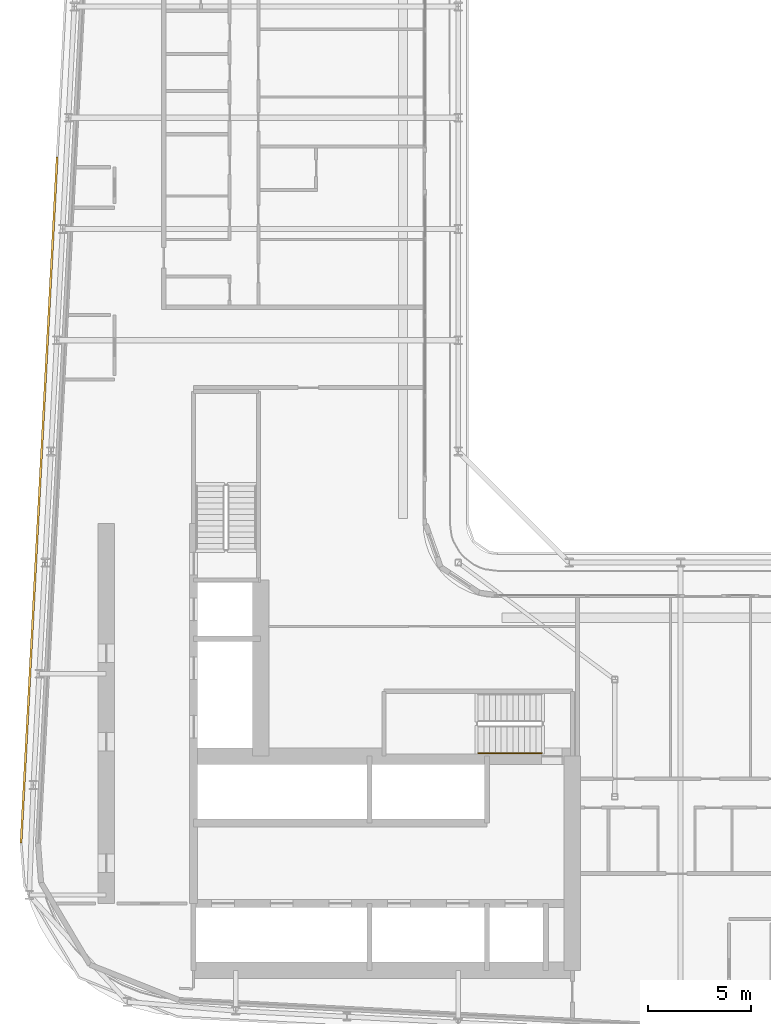
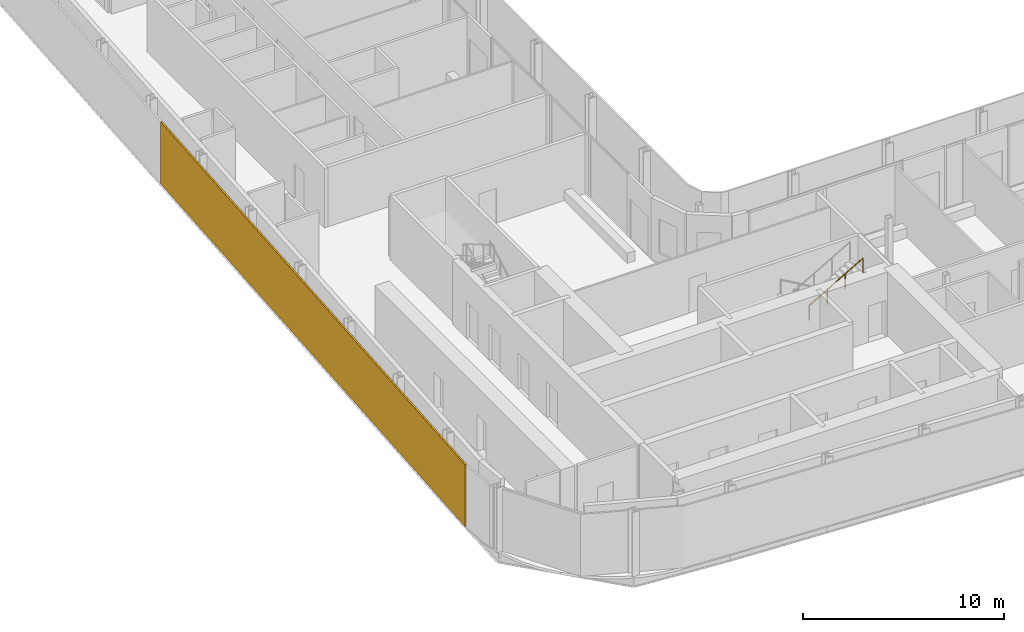
# One storey, part 24 of 30: 1 railing, 1 shading device.
"""IFC4 building model written with IfcOpenShell, lengths in metres."""

import ifcopenshell
import ifcopenshell.guid

model = None  # the IFC model being written
_history = None  # IfcOwnerHistory: only IFC2X3 demands one
_inside = {}  # id of a spatial element -> (the spatial element, [elements in it])
_under = {}  # id of a project, library or spatial element -> (it, [spatial elements below it])
_declared = {}  # id of a project -> (the project, [libraries it declares])
_typed = {}  # id of a type object -> (the type object, [elements of that type])
_made_of = {}  # id of a material, layer set ... -> (it, [elements and type objects made of it])


def new_model(schema):
    """Start an empty IFC model of exactly this schema.

    Asked for "IFC4X3", IfcOpenShell would pick the latest addendum, in which some entities
    have other attributes; the version numbers below select the first issue.
    IFC2X3 requires an IfcOwnerHistory on every rooted entity: one is made here for all.
    """
    global model, _history
    if schema == "IFC4X3":
        model = ifcopenshell.file(schema_version=(4, 3, 0, 0))
    else:
        model = ifcopenshell.file(schema=schema)
    _inside.clear()
    _under.clear()
    _declared.clear()
    _typed.clear()
    _made_of.clear()
    _history = None
    if model.schema == "IFC2X3":
        org = make("IfcOrganization", Name="unknown")
        user = make(
            "IfcPersonAndOrganization",
            ThePerson=make("IfcPerson", FamilyName="unknown"),
            TheOrganization=org,
        )
        app = make(
            "IfcApplication",
            ApplicationDeveloper=org,
            Version="unknown",
            ApplicationFullName="unknown",
            ApplicationIdentifier="unknown",
        )
        _history = make(
            "IfcOwnerHistory",
            OwningUser=user,
            OwningApplication=app,
            ChangeAction="ADDED",
            CreationDate=0,
        )
    return model


def make(cls, **values):
    """One entity of the class cls with the attributes given. An attribute that is None is left unset."""
    return model.create_entity(
        cls, **{name: value for name, value in values.items() if value is not None}
    )


def rooted(cls, **values):
    """An entity with a GlobalId (a new one), such as an element, a storey or a relation."""
    return make(cls, GlobalId=ifcopenshell.guid.new(), OwnerHistory=_history, **values)


def si_unit(unit_type, name, prefix=None):
    """IfcSIUnit, for example si_unit("LENGTHUNIT", "METRE", prefix="MILLI")."""
    return make("IfcSIUnit", UnitType=unit_type, Prefix=prefix, Name=name)


def assignment(units):
    """IfcUnitAssignment: the units of a project."""
    return None if units is None else make("IfcUnitAssignment", Units=units)


def point(xyz):
    """IfcCartesianPoint."""
    return None if xyz is None else make("IfcCartesianPoint", Coordinates=xyz)


def direction(xyz):
    """IfcDirection."""
    return None if xyz is None else make("IfcDirection", DirectionRatios=xyz)


def frame(location, z_axis=None, x_axis=None):
    """IfcAxis2Placement3D, a coordinate frame: its origin and axes. An axis left out is left unset."""
    return make(
        "IfcAxis2Placement3D",
        Location=point(location),
        Axis=direction(z_axis),
        RefDirection=direction(x_axis),
    )


def frame_2d(location, x_axis=None):
    """IfcAxis2Placement2D, a coordinate frame in the plane: its origin and x axis."""
    return make(
        "IfcAxis2Placement2D", Location=point(location), RefDirection=direction(x_axis)
    )


def origin():
    """The frame at (0, 0, 0) with its axes left unset."""
    return frame((0.0, 0.0, 0.0))


def origin_2d():
    """The frame at (0, 0) in the plane with its x axis left unset."""
    return frame_2d((0.0, 0.0))


def place(relative_to, where):
    """IfcLocalPlacement: puts the frame where relative to a parent placement (None: the world)."""
    return make(
        "IfcLocalPlacement", PlacementRelTo=relative_to, RelativePlacement=where
    )


def context(
    kind, dimensions, precision=None, world=None, true_north=None, identifier=None
):
    """IfcGeometricRepresentationContext, for example the 3D "Model" context."""
    return make(
        "IfcGeometricRepresentationContext",
        ContextIdentifier=identifier,
        ContextType=kind,
        CoordinateSpaceDimension=dimensions,
        Precision=precision,
        WorldCoordinateSystem=world,
        TrueNorth=true_north,
    )


def subcontext(parent, identifier, kind, view, scale=None):
    """IfcGeometricRepresentationSubContext, for example "Body" below "Model"."""
    return make(
        "IfcGeometricRepresentationSubContext",
        ContextIdentifier=identifier,
        ContextType=kind,
        ParentContext=parent,
        TargetScale=scale,
        TargetView=view,
    )


def project(units=None, contexts=None):
    """IfcProject with its units and contexts."""
    return rooted(
        "IfcProject",
        Name="project",
        RepresentationContexts=contexts,
        UnitsInContext=assignment(units),
    )


def spatial(cls, under=None, at=None, **own):
    """A site, building, storey or space (cls), placed at a placement, below another one or the project."""
    s = rooted(cls, ObjectPlacement=at, **own)
    if under is not None:
        _under.setdefault(under.id(), (under, []))[1].append(s)
    return s


def profile(cls, at=None, kind="AREA", **sizes):
    """A parametric profile (cls). Its sizes go by their IFC names, for example OverallWidth=200.0."""
    return make(cls, ProfileType=kind, Position=at, **sizes)


def rectangle(**sizes):
    """IfcRectangleProfileDef."""
    return profile("IfcRectangleProfileDef", **sizes)


def circle(**sizes):
    """IfcCircleProfileDef."""
    return profile("IfcCircleProfileDef", **sizes)


def extrude(swept, where, along, depth):
    """IfcExtrudedAreaSolid: the profile swept, set in the frame where, extruded along a direction by depth."""
    return make(
        "IfcExtrudedAreaSolid",
        SweptArea=swept,
        Position=where,
        ExtrudedDirection=direction(along),
        Depth=depth,
    )


def shape(context_of_items, identifier, shape_type, items):
    """IfcShapeRepresentation: the items that make up one representation, for example the "Body"."""
    return make(
        "IfcShapeRepresentation",
        ContextOfItems=context_of_items,
        RepresentationIdentifier=identifier,
        RepresentationType=shape_type,
        Items=items,
    )


def material(Name=None, Category=None):
    """IfcMaterial."""
    return make("IfcMaterial", Name=Name, Category=Category)


def layer(
    of_material, thickness, ventilated=None, Name=None, Category=None, Priority=None
):
    """IfcMaterialLayer: one layer of a wall or slab, of a material (None: an air gap)."""
    return make(
        "IfcMaterialLayer",
        Material=of_material,
        LayerThickness=thickness,
        IsVentilated=ventilated,
        Name=Name,
        Category=Category,
        Priority=Priority,
    )


def layer_set(layers, Name=None):
    """IfcMaterialLayerSet."""
    return make("IfcMaterialLayerSet", MaterialLayers=layers, LayerSetName=Name)


def made_of(thing, what):
    """Note that an element or type object is made of a material, layer set ...; save() writes the relation."""
    if what is not None:
        _made_of.setdefault(what.id(), (what, []))[1].append(thing)
    return thing


def type_object(cls, material=None, **own):
    """A type object (cls), such as IfcWallType, which elements share."""
    return made_of(rooted(cls, **own), material)


def element(
    cls,
    number,
    at=None,
    inside=None,
    cuts=None,
    type_object=None,
    material=None,
    context=None,
    identifier="Body",
    shape_type=None,
    held_by="IfcProductDefinitionShape",
    body=None,
    shapes=None,
    **own,
):
    """One element of the class cls, such as IfcWall. Its Tag is "e" and its number.

    at: its placement. inside: the storey or other place that contains it. cuts: it is an
    opening in that element (IfcRelVoidsElement). A single representation is given by context,
    identifier, shape_type and body (its items); several are given by shapes. held_by: the class
    of the entity that holds the representations. save() writes the other relations.
    """
    e = rooted(cls, Tag="e%d" % number, ObjectPlacement=at, **own)
    if body is not None:
        shapes = [shape(context, identifier, shape_type, body)]
    if shapes is not None:
        e.Representation = make(held_by, Representations=shapes)
    if inside is not None:
        _inside.setdefault(inside.id(), (inside, []))[1].append(e)
    if cuts is not None:
        rooted(
            "IfcRelVoidsElement", RelatingBuildingElement=cuts, RelatedOpeningElement=e
        )
    if type_object is not None:
        _typed.setdefault(type_object.id(), (type_object, []))[1].append(e)
    return made_of(e, material)


def aggregate(whole, parts):
    """IfcRelAggregates: a whole, such as a stair, and the parts it consists of."""
    return rooted("IfcRelAggregates", RelatingObject=whole, RelatedObjects=parts)


def save(model, path):
    """Write the relations noted so far, then the file.

    IfcRelAggregates (storeys below a building ...), IfcRelContainedInSpatialStructure (elements
    in a storey), IfcRelDefinesByType, IfcRelAssociatesMaterial and IfcRelDeclares: one each for
    every whole, place, type object, material and project.
    """
    for whole, parts in _under.values():
        aggregate(whole, parts)
    for where, things in _inside.values():
        rooted(
            "IfcRelContainedInSpatialStructure",
            RelatedElements=things,
            RelatingStructure=where,
        )
    for kind, things in _typed.values():
        rooted("IfcRelDefinesByType", RelatedObjects=things, RelatingType=kind)
    for what, things in _made_of.values():
        rooted("IfcRelAssociatesMaterial", RelatedObjects=things, RelatingMaterial=what)
    for by, libraries in _declared.values():
        rooted("IfcRelDeclares", RelatingContext=by, RelatedDefinitions=libraries)
    model.write(path)


model = new_model("IFC4")

# Units and contexts
model_context = context("Model", 3, precision=1e-05, world=origin(), true_north=direction((0.0, 1.0)))
body_context = subcontext(model_context, "Body", "Model", "MODEL_VIEW")
ifc_project = project(units=[si_unit("LENGTHUNIT", "METRE"), si_unit("AREAUNIT", "SQUARE_METRE"), si_unit("VOLUMEUNIT", "CUBIC_METRE"), si_unit("PLANEANGLEUNIT", "RADIAN"), si_unit("MASSUNIT", "GRAM", prefix="KILO")], contexts=[model_context])

# Site, building, storey
site_placement = place(None, origin())
site = spatial("IfcSite", under=ifc_project, at=site_placement, CompositionType="ELEMENT")
building_placement = place(site_placement, origin())
building = spatial("IfcBuilding", under=site, at=building_placement, Name="Kheshtan School and Residences Tower", CompositionType="ELEMENT")
storey_placement = place(building_placement, frame((0.0, 0.0, 164.300048828125)))
storey = spatial("IfcBuildingStorey", under=building, at=storey_placement, Name="L38", CompositionType="ELEMENT", Elevation=164.300048828125)

# Shading device
ifc_material_1 = material(Name="Terracotta baguette, extruded ceramic", Category="masonry")
ifc_layer = layer(ifc_material_1, 0.10009765625)
ifc_layer_set = layer_set([ifc_layer], Name="Ledge screen, terracotta baguettes")
shading_device_type = type_object("IfcShadingDeviceType", Name="Ledge screen, terracotta baguettes", PredefinedType="USERDEFINED", material=ifc_layer_set)
shading_device_placement = place(storey_placement, frame((27.24609375, 48.638916015625, 0.0), z_axis=(0.0, 0.0, 1.0), x_axis=(0.052562536748, 0.998617634398, 0.0)))
element("IfcShadingDevice", 1, at=shading_device_placement, inside=storey, type_object=shading_device_type, Name="Screen L38 4", ObjectType="BAGUETTE", PredefinedType="USERDEFINED", context=body_context, shape_type="SweptSolid", body=[
    extrude(rectangle(XDim=33.341064453125, YDim=0.10009765625, at=origin_2d()), origin(), (0.0, 0.0, 1.0), 3.75),
])

# Railing
ifc_material_2 = material(Name="Stainless steel handrail", Category="steel")
railing_type = type_object("IfcRailingType", Name="Stair handrail 900", PredefinedType="HANDRAIL", material=ifc_material_2)
railing_placement = place(storey_placement, frame((48.570068359375, 36.35009765625, 2.112548828125)))
element("IfcRailing", 2, at=railing_placement, inside=storey, type_object=railing_type, Name="L38 ST1 stair handrail 2", PredefinedType="HANDRAIL", context=body_context, shape_type="SweptSolid", body=[
    extrude(circle(Radius=0.02392578125, at=origin_2d()), frame((0.0, 0.0, 0.8759765625), z_axis=(0.864903211148, 0.0, 0.501938676878), x_axis=(0.0, 1.0, 0.0)), (0.0, 0.0, 1.0), 3.560791015625),
    extrude(circle(Radius=0.02099609375, at=origin_2d()), origin(), (0.0, 0.0, 1.0), 0.851806640625),
    extrude(circle(Radius=0.02099609375, at=origin_2d()), frame((1.026611328125, 0.0, 0.595703125)), (0.0, 0.0, 1.0), 0.851806640625),
    extrude(circle(Radius=0.02099609375, at=origin_2d()), frame((2.05322265625, 0.0, 1.191650390625)), (0.0, 0.0, 1.0), 0.851806640625),
    extrude(circle(Radius=0.02099609375, at=origin_2d()), frame((3.079833984375, 0.0, 1.787353515625)), (0.0, 0.0, 1.0), 0.851806640625),
])

save(model, "model.ifc")
